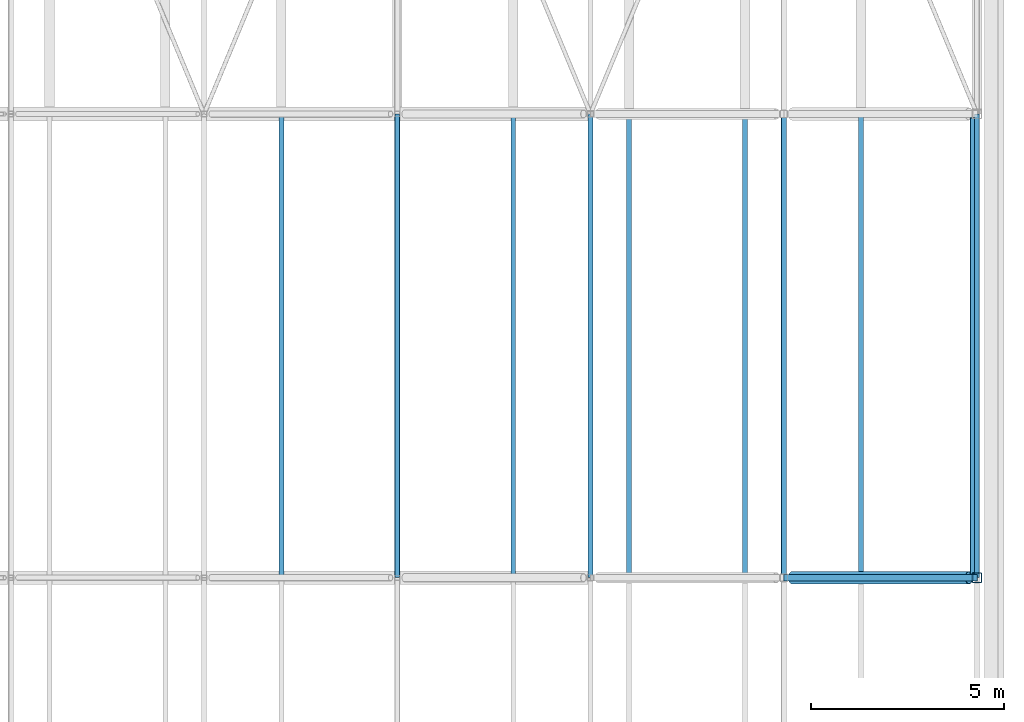
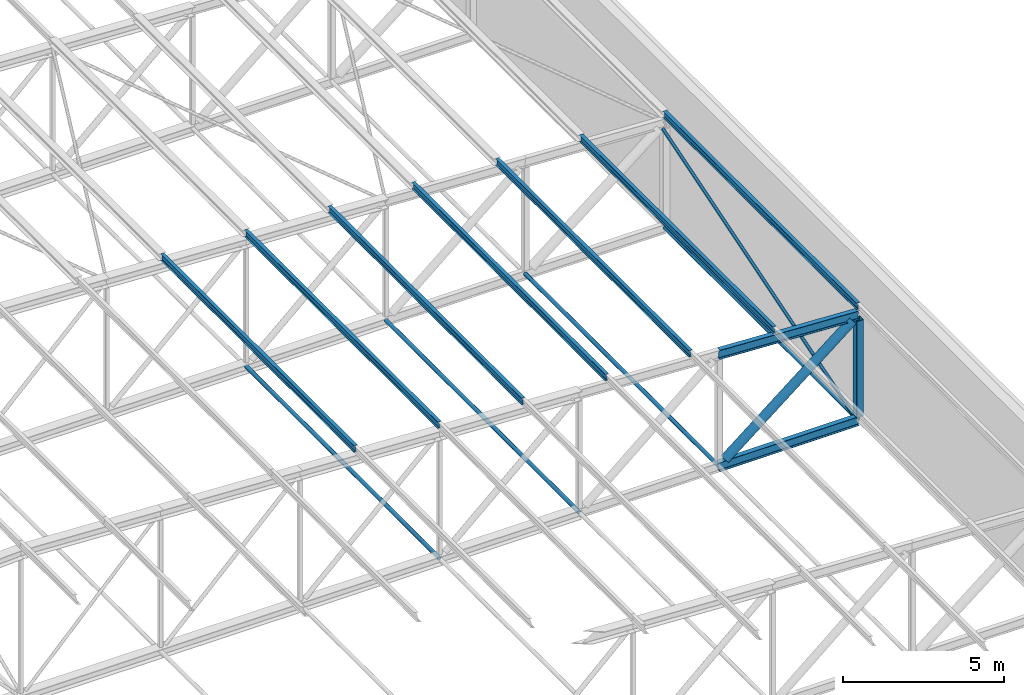
# One storey, part 45 of 156: 16 members.
"""IFC4 building model written with IfcOpenShell, lengths in metres."""

from ifc_helpers import new_model, si_unit, direction, frame, origin, origin_2d, place, context, subcontext, project, spatial, hollow_rectangle, hollow_circle, i_section, extrude, material, material_profile, profile_set, type_object, element, save


model = new_model("IFC4")

# Units and contexts
model_context = context("Model", 3, precision=1e-05, world=origin(), true_north=direction((0.0, 1.0)))
body_context = subcontext(model_context, "Body", "Model", "MODEL_VIEW")
ifc_project = project(units=[si_unit("LENGTHUNIT", "METRE"), si_unit("AREAUNIT", "SQUARE_METRE"), si_unit("VOLUMEUNIT", "CUBIC_METRE"), si_unit("PLANEANGLEUNIT", "RADIAN"), si_unit("MASSUNIT", "GRAM", prefix="KILO")], contexts=[model_context])

# Site, building, storey
site_placement = place(None, origin())
site = spatial("IfcSite", under=ifc_project, at=site_placement, CompositionType="ELEMENT")
building_placement = place(site_placement, origin())
building = spatial("IfcBuilding", under=site, at=building_placement, Name="Lilac Gate Convention Centre", CompositionType="ELEMENT")
storey_placement = place(building_placement, frame((0.0, 0.0, 17.0)))
storey = spatial("IfcBuildingStorey", under=building, at=storey_placement, Name="L03", CompositionType="ELEMENT", Elevation=17.0)

# Members
ifc_material = material(Name="Steel Q355B", Category="steel")
ifc_material_profile_1 = material_profile(ifc_material, hollow_circle(Radius=0.06982421875, WallThickness=0.0048828125, at=origin_2d()), Name="CHS139.7x5")
ifc_profile_set_1 = profile_set([ifc_material_profile_1], Name="Steel Q355B")
member_type_1 = type_object("IfcMemberType", Name="Bottom chord tie CHS139.7x5", PredefinedType="STRUT", material=ifc_profile_set_1)
member_1_placement = place(storey_placement, frame((75.0, 66.006103515625, 0.0), z_axis=(0.0, 1.0, 0.0), x_axis=(-1.0, 0.0, 0.0)))
element("IfcMember", 1, at=member_1_placement, inside=storey, type_object=member_type_1, Name="ST1 tie bay 4 node 10", PredefinedType="STRUT", context=body_context, shape_type="SweptSolid", body=[
    extrude(hollow_circle(Radius=0.06982421875, WallThickness=0.0048828125, at=origin_2d()), origin(), (0.0, 0.0, 1.0), 11.98779296875),
])
for number, where, z_axis, x_axis, name in (
    (2, (80.0, 66.00341796875, 0.0), (0.0, 1.0, 0.0), (-1.0, 0.0, 0.0), "ST1 tie bay 4 node 11"),
    (3, (85.0, 66.00341796875, 0.0), (0.0, 1.0, 0.0), (-1.0, 0.0, 0.0), "ST1 tie bay 4 node 12"),
    (4, (90.0, 66.00341796875, 0.0), (0.0, 1.0, 0.0), (-1.0, 0.0, 0.0), "ST1 tie bay 4 node 13"),
):
    element("IfcMember", number, at=place(storey_placement, frame(where, z_axis=z_axis, x_axis=x_axis)), inside=storey, type_object=member_type_1, Name=name, PredefinedType="STRUT", context=body_context, shape_type="SweptSolid", body=[
        extrude(hollow_circle(Radius=0.06982421875, WallThickness=0.0048828125, at=origin_2d()), origin(), (0.0, 0.0, 1.0), 11.9931640625),
    ])
ifc_material_profile_2 = material_profile(ifc_material, i_section(OverallWidth=0.125, OverallDepth=0.25, WebThickness=0.006103515625, FlangeThickness=0.009033203125, FilletRadius=0.008056640625, at=origin_2d()), Name="HN250x125x6x9")
ifc_profile_set_2 = profile_set([ifc_material_profile_2], Name="Steel Q355B")
member_type_2 = type_object("IfcMemberType", Name="Roof purlin HN250x125x6x9", PredefinedType="PURLIN", material=ifc_profile_set_2)
for number, where, z_axis, x_axis, name in (
    (5, (72.0, 66.0, 5.2001953125), (0.0, 1.0, 0.0), (-1.0, 0.0, 0.0), "PU2 purlin bay 4 line 15"),
    (6, (75.0, 66.0, 5.05029296875), (0.0, 1.0, 0.0), (-1.0, 0.0, 0.0), "PU2 purlin bay 4 line 16"),
    (7, (78.0, 66.0, 4.900146484375), (0.0, 1.0, 0.0), (-1.0, 0.0, 0.0), "PU2 purlin bay 4 line 17"),
    (8, (81.0, 66.0, 4.750244140625), (0.0, 1.0, 0.0), (-1.0, 0.0, 0.0), "PU2 purlin bay 4 line 18"),
    (9, (84.0, 66.0, 4.60009765625), (0.0, 1.0, 0.0), (-1.0, 0.0, 0.0), "PU2 purlin bay 4 line 19"),
    (10, (87.0, 66.0, 4.4501953125), (0.0, 1.0, 0.0), (-1.0, 0.0, 0.0), "PU2 purlin bay 4 line 20"),
    (11, (90.0, 66.0, 4.30029296875), (0.0, 1.0, 0.0), (-1.0, 0.0, 0.0), "PU2 purlin bay 4 line 21"),
):
    element("IfcMember", number, at=place(storey_placement, frame(where, z_axis=z_axis, x_axis=x_axis)), inside=storey, type_object=member_type_2, Name=name, PredefinedType="PURLIN", context=body_context, shape_type="SweptSolid", body=[
        extrude(i_section(OverallWidth=0.125, OverallDepth=0.25, WebThickness=0.006103515625, FlangeThickness=0.009033203125, FilletRadius=0.008056640625, at=origin_2d()), origin(), (0.0, 0.0, 1.0), 12.0),
    ])
ifc_material_profile_3 = material_profile(ifc_material, i_section(OverallWidth=0.175048828125, OverallDepth=0.35009765625, WebThickness=0.007080078125, FlangeThickness=0.010986328125, FilletRadius=0.012939453125, at=origin_2d()), Name="HN350x175x7x11")
ifc_profile_set_3 = profile_set([ifc_material_profile_3], Name="Steel Q355B")
member_type_3 = type_object("IfcMemberType", Name="Truss bottom chord HN350x175x7x11", PredefinedType="CHORD", material=ifc_profile_set_3)
member_2_placement = place(storey_placement, frame((85.0, 66.0, 0.0), z_axis=(1.0, 0.0, 0.0), x_axis=(0.0, 1.0, 0.0)))
element("IfcMember", 12, at=member_2_placement, inside=storey, type_object=member_type_3, Name="TB1 truss 4 bottom chord 12", PredefinedType="CHORD", context=body_context, shape_type="SweptSolid", body=[
    extrude(i_section(OverallWidth=0.175048828125, OverallDepth=0.35009765625, WebThickness=0.007080078125, FlangeThickness=0.010986328125, FilletRadius=0.012939453125, at=origin_2d()), origin(), (0.0, 0.0, 1.0), 5.0),
])
ifc_material_profile_4 = material_profile(ifc_material, hollow_circle(Radius=0.161865234375, WallThickness=0.011962890625, at=origin_2d()), Name="CHS323.9x12")
ifc_profile_set_4 = profile_set([ifc_material_profile_4], Name="Steel Q355B")
member_type_4 = type_object("IfcMemberType", Name="Truss diagonal CHS323.9x12", PredefinedType="BRACE", material=ifc_profile_set_4)
member_3_placement = place(storey_placement, frame((89.794677734375, 66.0, 3.835693359375), z_axis=(-0.780876938611, 0.0, -0.624684885959), x_axis=(0.0, -1.0, 0.0)))
element("IfcMember", 13, at=member_3_placement, inside=storey, type_object=member_type_4, Name="TW1 truss 4 diagonal 12", PredefinedType="BRACE", context=body_context, shape_type="SweptSolid", body=[
    extrude(hollow_circle(Radius=0.161865234375, WallThickness=0.011962890625, at=origin_2d()), origin(), (0.0, 0.0, 1.0), 5.860107421875),
])
ifc_material_profile_5 = material_profile(ifc_material, i_section(OverallWidth=0.175048828125, OverallDepth=0.35009765625, WebThickness=0.007080078125, FlangeThickness=0.010986328125, FilletRadius=0.012939453125, at=origin_2d()), Name="HN350x175x7x11")
ifc_profile_set_5 = profile_set([ifc_material_profile_5], Name="Steel Q355B")
member_type_5 = type_object("IfcMemberType", Name="Truss top chord HN350x175x7x11", PredefinedType="CHORD", material=ifc_profile_set_5)
member_4_placement = place(storey_placement, frame((85.0, 66.0, 4.25), z_axis=(0.998752338878, 0.0, -0.049937616944), x_axis=(0.0, 1.0, 0.0)))
element("IfcMember", 14, at=member_4_placement, inside=storey, type_object=member_type_5, Name="TT1 truss 4 top chord 12", PredefinedType="CHORD", context=body_context, shape_type="SweptSolid", body=[
    extrude(i_section(OverallWidth=0.175048828125, OverallDepth=0.35009765625, WebThickness=0.007080078125, FlangeThickness=0.010986328125, FilletRadius=0.012939453125, at=origin_2d()), origin(), (0.0, 0.0, 1.0), 5.00634765625),
])
ifc_material_profile_6 = material_profile(ifc_material, hollow_rectangle(XDim=0.25, YDim=0.25, WallThickness=0.010009765625, InnerFilletRadius=0.014892578125, OuterFilletRadius=0.02490234375, at=origin_2d()), Name="SHS250x250x10")
ifc_profile_set_6 = profile_set([ifc_material_profile_6], Name="Steel Q355B")
member_type_6 = type_object("IfcMemberType", Name="Truss vertical SHS250x250x10", PredefinedType="STRUT", material=ifc_profile_set_6)
member_5_placement = place(storey_placement, frame((90.0, 66.0, 0.175048828125), z_axis=(0.0, 0.0, 1.0), x_axis=(1.0, 0.0, 0.0)))
element("IfcMember", 15, at=member_5_placement, inside=storey, type_object=member_type_6, Name="TV1 truss 4 vertical 13", PredefinedType="STRUT", context=body_context, shape_type="SweptSolid", body=[
    extrude(hollow_rectangle(XDim=0.25, YDim=0.25, WallThickness=0.010009765625, InnerFilletRadius=0.014892578125, OuterFilletRadius=0.02490234375, at=origin_2d()), origin(), (0.0, 0.0, 1.0), 3.649658203125),
])
ifc_material_profile_7 = material_profile(ifc_material, hollow_circle(Radius=0.05712890625, WallThickness=0.006103515625, at=origin_2d()), Name="CHS114.3x6")
ifc_profile_set_7 = profile_set([ifc_material_profile_7], Name="Steel Q355B")
member_type_7 = type_object("IfcMemberType", Name="Vertical bracing CHS114.3x6", PredefinedType="BRACE", material=ifc_profile_set_7)
member_6_placement = place(storey_placement, frame((89.8798828125, 66.08740234375, 0.175048828125), z_axis=(0.0, 0.955386652678, 0.295357992757), x_axis=(-1.0, 0.0, 0.0)))
element("IfcMember", 16, at=member_6_placement, inside=storey, type_object=member_type_7, Name="BR2 vertical bracing bay 4 line 3", PredefinedType="BRACE", context=body_context, shape_type="SweptSolid", body=[
    extrude(hollow_circle(Radius=0.05712890625, WallThickness=0.006103515625, at=origin_2d()), origin(), (0.0, 0.0, 1.0), 12.37744140625),
])

save(model, "model.ifc")
